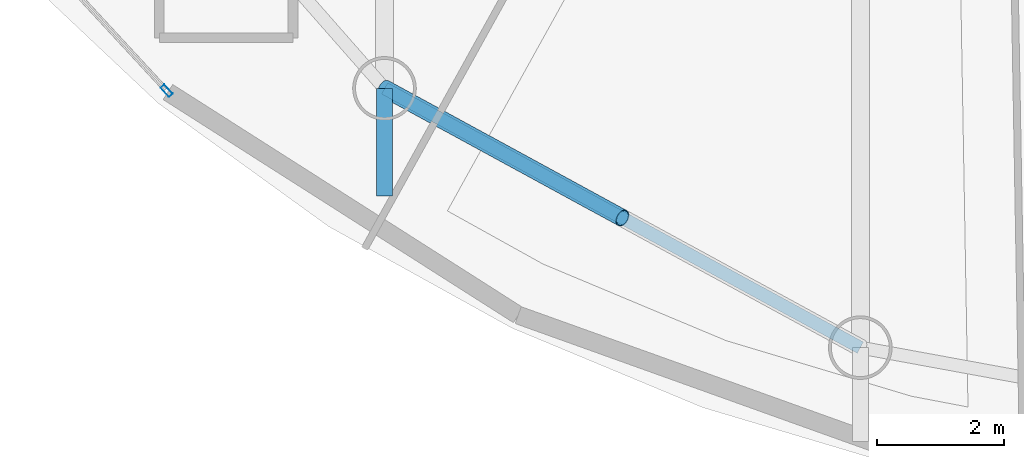
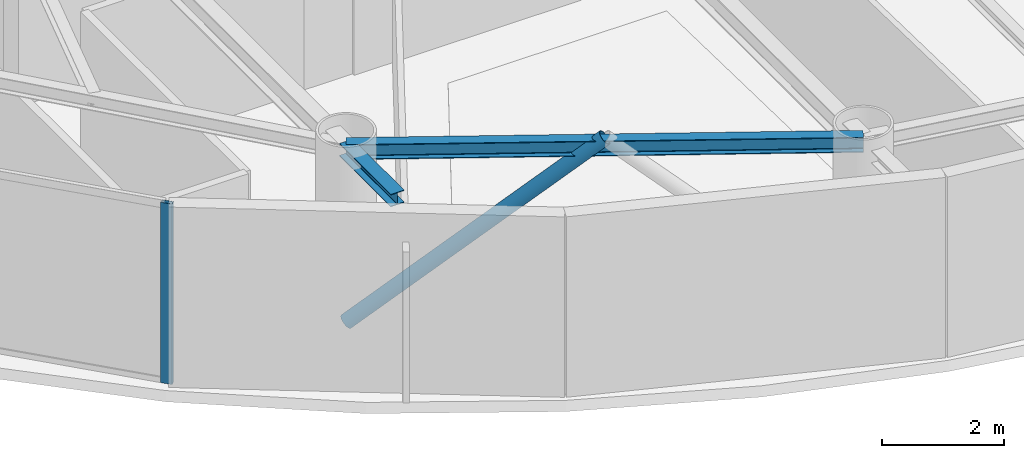
# One storey, part 2 of 22: 2 beams, 2 members, 1 element without a shape of its own.
"""IFC4 building model written with IfcOpenShell, lengths in metres."""

from ifc_helpers import new_model, si_unit, direction, frame, origin, origin_2d, place, context, subcontext, project, spatial, hollow_rectangle, hollow_circle, i_section, extrude, material, layer, layer_set, material_profile, profile_set, type_object, element, aggregate, save


model = new_model("IFC4")

# Units and contexts
model_context = context("Model", 3, precision=1e-05, world=origin(), true_north=direction((0.0, 1.0)))
body_context = subcontext(model_context, "Body", "Model", "MODEL_VIEW")
ifc_project = project(units=[si_unit("LENGTHUNIT", "METRE"), si_unit("AREAUNIT", "SQUARE_METRE"), si_unit("VOLUMEUNIT", "CUBIC_METRE"), si_unit("PLANEANGLEUNIT", "RADIAN"), si_unit("MASSUNIT", "GRAM", prefix="KILO")], contexts=[model_context])

# Site, building, storey
site_placement = place(None, origin())
site = spatial("IfcSite", under=ifc_project, at=site_placement, CompositionType="ELEMENT")
building_placement = place(site_placement, origin())
building = spatial("IfcBuilding", under=site, at=building_placement, Name="Bramvorn Convention Spire", CompositionType="ELEMENT")
storey_placement = place(building_placement, frame((0.0, 0.0, 253.60009765625)))
storey = spatial("IfcBuildingStorey", under=building, at=storey_placement, Name="L64", CompositionType="ELEMENT", Elevation=253.60009765625)

# Beams
ifc_material_1 = material(Name="Steel CSA G40.21 Grade 350 (350W)", Category="steel")
ifc_material_profile_1 = material_profile(ifc_material_1, i_section(OverallWidth=0.25390625, OverallDepth=0.2529296875, WebThickness=0.008544921875, FlangeThickness=0.01416015625, FilletRadius=0.011962890625, at=origin_2d()))
ifc_profile_set_1 = profile_set([ifc_material_profile_1], Name="Steel CSA G40.21 Grade 350 (350W) - W250X73")
beam_type_1 = type_object("IfcBeamType", Name="BM-W250X73", PredefinedType="BEAM", material=ifc_profile_set_1)
beam_1_placement = place(storey_placement, frame((28.337646484375, 10.523193359375, 3.498291015625), z_axis=(0.0, -1.0, 0.0), x_axis=(1.0, 0.0, 0.0)))
element("IfcBeam", 1, at=beam_1_placement, inside=storey, type_object=beam_type_1, Name="L64 slab-edge cantilever tip beam MC14", PredefinedType="BEAM", context=body_context, shape_type="SweptSolid", body=[
    extrude(i_section(OverallWidth=0.25390625, OverallDepth=0.2529296875, WebThickness=0.008544921875, FlangeThickness=0.01416015625, FilletRadius=0.011962890625, at=origin_2d()), origin(), (0.0, 0.0, 1.0), 1.6923828125),
])
ifc_material_profile_2 = material_profile(ifc_material_1, i_section(OverallWidth=0.202880859375, OverallDepth=0.302978515625, WebThickness=0.007568359375, FlangeThickness=0.01318359375, FilletRadius=0.013916015625, at=origin_2d()))
ifc_profile_set_2 = profile_set([ifc_material_profile_2], Name="Steel CSA G40.21 Grade 350 (350W) - W310X60")
beam_type_2 = type_object("IfcBeamType", Name="BM-W310X60", PredefinedType="JOIST", material=ifc_profile_set_2)
beam_2_placement = place(storey_placement, frame((28.337646484375, 10.523193359375, 3.473388671875), z_axis=(0.878133224771, -0.478416178189, 0.0), x_axis=(0.478416178189, 0.878133224771, 0.0)))
element("IfcBeam", 2, at=beam_2_placement, inside=storey, type_object=beam_type_2, Name="L64 mega-column ring beam 14", PredefinedType="JOIST", context=body_context, shape_type="SweptSolid", body=[
    extrude(i_section(OverallWidth=0.202880859375, OverallDepth=0.302978515625, WebThickness=0.007568359375, FlangeThickness=0.01318359375, FilletRadius=0.013916015625, at=origin_2d()), origin(), (0.0, 0.0, 1.0), 8.515625),
])

# Curtain wall, member
ifc_material_2 = material(Name="Anodised Bronze Unitised Curtain Wall", Category="aluminium")
ifc_layer = layer(ifc_material_2, 0.179931640625)
ifc_layer_set = layer_set([ifc_layer], Name="Anodised Bronze Unitised Curtain Wall - CW-OFF-FRIT")
curtain_wall_type = type_object("IfcCurtainWallType", Name="CW-OFF-FRIT", PredefinedType="USERDEFINED", material=ifc_layer_set)
curtain_wall_placement = place(storey_placement, origin())
curtain_wall = element("IfcCurtainWall", 3, at=curtain_wall_placement, inside=storey, type_object=curtain_wall_type, Name="L64 fritted glass curtain wall 19", ObjectType="UNITISED CURTAIN WALL", PredefinedType="USERDEFINED")
ifc_material_3 = material(Name="Anodised Bronze Aluminium 6063-T6", Category="aluminium")
ifc_material_profile_3 = material_profile(ifc_material_3, hollow_rectangle(XDim=0.080078125, YDim=0.199951171875, WallThickness=0.00390625, InnerFilletRadius=0.0009765625, OuterFilletRadius=0.00390625, at=origin_2d()))
ifc_profile_set_3 = profile_set([ifc_material_profile_3], Name="Anodised Bronze Aluminium 6063-T6 - CWM80X200")
member_type_1 = type_object("IfcMemberType", Name="CW-MUL-180", PredefinedType="MULLION", material=ifc_profile_set_3)
member_1_placement = place(storey_placement, frame((24.914306640625, 10.487548828125, 0.0), z_axis=(0.0, 0.0, 1.0), x_axis=(-0.733955268868, -0.679197808669, 0.0)))
member_1 = element("IfcMember", 4, at=member_1_placement, type_object=member_type_1, Name="CW3 mullion 1", PredefinedType="MULLION", context=body_context, shape_type="SweptSolid", body=[
    extrude(hollow_rectangle(XDim=0.080078125, YDim=0.199951171875, WallThickness=0.00390625, InnerFilletRadius=0.0009765625, OuterFilletRadius=0.00390625, at=origin_2d()), origin(), (0.0, 0.0, 1.0), 3.625),
])
aggregate(curtain_wall, [member_1])

# Member
ifc_material_profile_4 = material_profile(ifc_material_1, hollow_circle(Radius=0.136474609375, WallThickness=0.0126953125, at=origin_2d()))
ifc_profile_set_4 = profile_set([ifc_material_profile_4], Name="Steel CSA G40.21 Grade 350 (350W) - CHS273X13")
member_type_2 = type_object("IfcMemberType", Name="MBR-CHS273X13", PredefinedType="BRACE", material=ifc_profile_set_4)
member_2_placement = place(storey_placement, frame((28.337646484375, 10.523193359375, 0.0), z_axis=(0.668634081548, -0.364288787231, 0.648245435379), x_axis=(0.478426241072, 0.878127742332, 0.0)))
element("IfcMember", 5, at=member_2_placement, inside=storey, type_object=member_type_2, Name="L64 perimeter Gothic lancet brace 14A", PredefinedType="BRACE", context=body_context, shape_type="SweptSolid", body=[
    extrude(hollow_circle(Radius=0.136474609375, WallThickness=0.0126953125, at=origin_2d()), origin(), (0.0, 0.0, 1.0), 5.592041015625),
])

save(model, "model.ifc")
